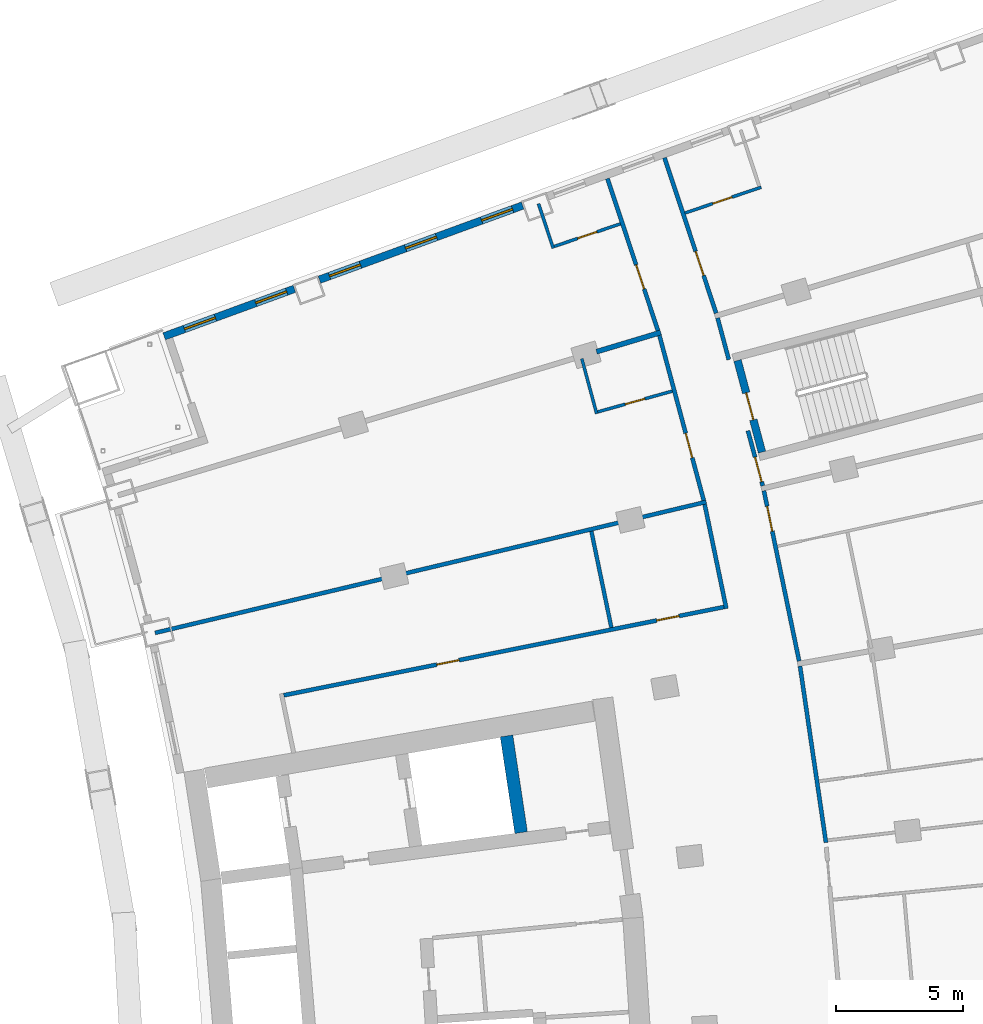
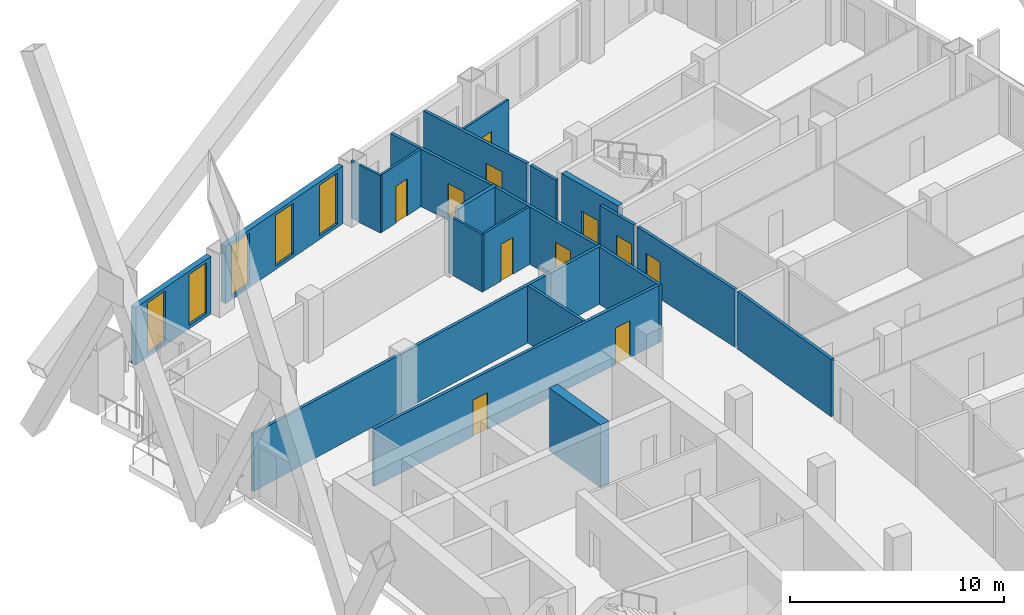
# One storey, part 20 of 26: 21 walls, 11 doors, 5 windows, 16 openings.
"""IFC4 building model written with IfcOpenShell, lengths in metres."""

from ifc_helpers import new_model, si_unit, direction, frame, frame_2d, origin, place, context, subcontext, project, spatial, rectangle, extrude, material, layer, layer_set, type_object, element, fill, save


model = new_model("IFC4")

# Units and contexts
model_context = context("Model", 3, precision=1e-05, world=origin(), true_north=direction((0.0, 1.0)))
body_context = subcontext(model_context, "Body", "Model", "MODEL_VIEW")
ifc_project = project(units=[si_unit("LENGTHUNIT", "METRE"), si_unit("AREAUNIT", "SQUARE_METRE"), si_unit("VOLUMEUNIT", "CUBIC_METRE"), si_unit("PLANEANGLEUNIT", "RADIAN"), si_unit("MASSUNIT", "GRAM", prefix="KILO")], contexts=[model_context])

# Site, building, storey
site_placement = place(None, origin())
site = spatial("IfcSite", under=ifc_project, at=site_placement, CompositionType="ELEMENT")
building_placement = place(site_placement, origin())
building = spatial("IfcBuilding", under=site, at=building_placement, Name="Alderwake Tower", CompositionType="ELEMENT")
storey_placement = place(building_placement, frame((0.0, 0.0, 82.39990234375)))
storey = spatial("IfcBuildingStorey", under=building, at=storey_placement, Name="L19", CompositionType="ELEMENT", Elevation=82.39990234375)

# Wall
ifc_material_1 = material(Name="Concrete C70/85", Category="concrete")
ifc_layer_1 = layer(ifc_material_1, 0.5)
ifc_layer_set_1 = layer_set([ifc_layer_1], Name="Core wall spine 500 C70-85")
wall_type_1 = type_object("IfcWallType", Name="Core wall spine 500 C70-85", PredefinedType="SHEAR", material=ifc_layer_set_1)
wall_1_placement = place(storey_placement, frame((28.34423828125, 75.4228515625, 0.0), z_axis=(0.0, 0.0, 1.0), x_axis=(-0.14943460482, 0.988771611082, 0.0)))
element("IfcWall", 1, at=wall_1_placement, inside=storey, type_object=wall_type_1, Name="Core wall CW.001", PredefinedType="SHEAR", context=body_context, shape_type="SweptSolid", body=[
    extrude(rectangle(XDim=3.8623046875, YDim=0.5, at=frame_2d((1.93115234375, 0.0))), origin(), (0.0, 0.0, 1.0), 3.60009765625),
])

# Wall, opening, door
ifc_material_2 = material(Name="Concrete C70/85", Category="concrete")
ifc_layer_2 = layer(ifc_material_2, 0.300048828125)
ifc_layer_set_2 = layer_set([ifc_layer_2], Name="Core wall stair enclosure 300 C70-85")
wall_type_2 = type_object("IfcWallType", Name="Core wall stair enclosure 300 C70-85", PredefinedType="SHEAR", material=ifc_layer_set_2)
wall_2_placement = place(storey_placement, frame((37.8603515625, 90.452392578125, 0.0), z_axis=(0.0, 0.0, 1.0), x_axis=(-0.257411420208, 0.966301899381, 0.0)))
wall_2 = element("IfcWall", 2, at=wall_2_placement, inside=storey, type_object=wall_type_2, Name="Core wall CW.083", PredefinedType="SHEAR", context=body_context, shape_type="SweptSolid", body=[
    extrude(rectangle(XDim=3.750244140625, YDim=0.300048828125, at=frame_2d((1.875, 0.0))), origin(), (0.0, 0.0, 1.0), 3.60009765625),
])
opening_1_placement = place(wall_2_placement, frame((1.324951171875, 0.0, 0.0)))
opening_1 = element("IfcOpeningElement", 3, at=opening_1_placement, cuts=wall_2, Name="Opening C062", PredefinedType="OPENING", context=body_context, shape_type="SweptSolid", body=[
    extrude(rectangle(XDim=1.10009765625, YDim=2.10009765625, at=frame_2d((0.550048828125, 1.050048828125))), frame((0.0, 0.159912109375, 0.0), z_axis=(0.0, -1.0, 0.0), x_axis=(1.0, 0.0, 0.0)), (0.0, 0.0, 1.0), 0.320068359375),
])
ifc_material_3 = material(Name="Steel-framed fire door leaf", Category="steel")
door_type_1 = type_object("IfcDoorType", Name="Core stair door 1100 fire-rated", OperationType="SINGLE_SWING_LEFT", PredefinedType="DOOR", material=ifc_material_3)
door_1_placement = place(opening_1_placement, origin())
door_1 = element("IfcDoor", 4, at=door_1_placement, inside=storey, type_object=door_type_1, Name="Stair door", OperationType="SINGLE_SWING_LEFT", OverallHeight=2.10009765625, OverallWidth=1.10009765625, PredefinedType="DOOR", context=body_context, shape_type="SweptSolid", body=[
    extrude(rectangle(XDim=1.10009765625, YDim=2.10009765625, at=frame_2d((0.550048828125, 1.050048828125))), frame((0.0, 0.02490234375, 0.0), z_axis=(0.0, -1.0, 0.0), x_axis=(1.0, 0.0, 0.0)), (0.0, 0.0, 1.0), 0.050048828125),
])
fill(opening_1, door_1)

# Wall
ifc_material_4 = material(Name="Gypsum board on metal studs, rated")
ifc_layer_3 = layer(ifc_material_4, 0.159912109375)
ifc_layer_set_3 = layer_set([ifc_layer_3], Name="Corridor wall 160")
wall_type_3 = type_object("IfcWallType", Name="Corridor wall 160", PredefinedType="PARTITIONING", material=ifc_layer_set_3)
wall_3_placement = place(storey_placement, frame((13.884033203125, 83.31298828125, 0.0), z_axis=(0.0, 0.0, 1.0), x_axis=(0.972893462073, 0.231253781493, 0.0)))
element("IfcWall", 5, at=wall_3_placement, inside=storey, type_object=wall_type_3, Name="WL/L19/W16", PredefinedType="PARTITIONING", context=body_context, shape_type="SweptSolid", body=[
    extrude(rectangle(XDim=22.38037109375, YDim=0.159912109375, at=frame_2d((11.190185546875, 0.0))), origin(), (0.0, 0.0, 1.0), 3.280029296875),
])

# Wall, opening, door
wall_4_placement = place(storey_placement, frame((33.75146484375, 95.2548828125, 0.0), z_axis=(0.0, 0.0, 1.0), x_axis=(-0.315406156735, 0.948956772616, 0.0)))
wall_4 = element("IfcWall", 6, at=wall_4_placement, inside=storey, type_object=wall_type_3, Name="WL/L19/W20", PredefinedType="PARTITIONING", context=body_context, shape_type="SweptSolid", body=[
    extrude(rectangle(XDim=6.330078125, YDim=0.159912109375, at=frame_2d((3.1650390625, 0.0))), origin(), (0.0, 0.0, 1.0), 3.280029296875),
])
opening_2_placement = place(wall_4_placement, frame((1.737060546875, 0.0, 0.0)))
opening_2 = element("IfcOpeningElement", 7, at=opening_2_placement, cuts=wall_4, Name="Opening R05-U12.1", PredefinedType="OPENING", context=body_context, shape_type="SweptSolid", body=[
    extrude(rectangle(XDim=1.0, YDim=2.10009765625, at=frame_2d((0.5, 1.050048828125))), frame((0.0, 0.08984375, 0.0), z_axis=(0.0, -1.0, 0.0), x_axis=(1.0, 0.0, 0.0)), (0.0, 0.0, 1.0), 0.179931640625),
])
ifc_material_5 = material(Name="Solid timber leaf in steel frame", Category="steel")
door_type_2 = type_object("IfcDoorType", Name="Flat entrance door 1000 fire-rated", OperationType="SINGLE_SWING_LEFT", PredefinedType="DOOR", material=ifc_material_5)
door_2_placement = place(opening_2_placement, origin())
door_2 = element("IfcDoor", 8, at=door_2_placement, inside=storey, type_object=door_type_2, Name="DR/L19/U12.1", OperationType="SINGLE_SWING_LEFT", OverallHeight=2.10009765625, OverallWidth=1.0, PredefinedType="DOOR", context=body_context, shape_type="SweptSolid", body=[
    extrude(rectangle(XDim=1.0, YDim=2.10009765625, at=frame_2d((0.5, 1.050048828125))), frame((0.0, 0.02490234375, 0.0), z_axis=(0.0, -1.0, 0.0), x_axis=(1.0, 0.0, 0.0)), (0.0, 0.0, 1.0), 0.050048828125),
])
fill(opening_2, door_2)

wall_5_placement = place(storey_placement, frame((35.55908203125, 88.54736328125, 0.0), z_axis=(0.0, 0.0, 1.0), x_axis=(-0.259373900693, 0.965776982351, 0.0)))
wall_5 = element("IfcWall", 9, at=wall_5_placement, inside=storey, type_object=wall_type_3, Name="WL/L19/W23", PredefinedType="PARTITIONING", context=body_context, shape_type="SweptSolid", body=[
    extrude(rectangle(XDim=6.7470703125, YDim=0.159912109375, at=frame_2d((3.37353515625, 0.0))), origin(), (0.0, 0.0, 1.0), 3.280029296875),
])
opening_3_placement = place(wall_5_placement, frame((1.74609375, 0.0, 0.0)))
opening_3 = element("IfcOpeningElement", 10, at=opening_3_placement, cuts=wall_5, Name="Opening R05-U11.1", PredefinedType="OPENING", context=body_context, shape_type="SweptSolid", body=[
    extrude(rectangle(XDim=1.0, YDim=2.10009765625, at=frame_2d((0.5, 1.050048828125))), frame((0.0, 0.08984375, 0.0), z_axis=(0.0, -1.0, 0.0), x_axis=(1.0, 0.0, 0.0)), (0.0, 0.0, 1.0), 0.179931640625),
])
door_3_placement = place(opening_3_placement, origin())
door_3 = element("IfcDoor", 11, at=door_3_placement, inside=storey, type_object=door_type_2, Name="DR/L19/U11.1", OperationType="SINGLE_SWING_LEFT", OverallHeight=2.10009765625, OverallWidth=1.0, PredefinedType="DOOR", context=body_context, shape_type="SweptSolid", body=[
    extrude(rectangle(XDim=1.0, YDim=2.10009765625, at=frame_2d((0.5, 1.050048828125))), frame((0.0, 0.02490234375, 0.0), z_axis=(0.0, -1.0, 0.0), x_axis=(1.0, 0.0, 0.0)), (0.0, 0.0, 1.0), 0.050048828125),
])
fill(opening_3, door_3)

# Wall
wall_6_placement = place(storey_placement, frame((35.59619140625, 88.3916015625, 0.0), z_axis=(0.0, 0.0, 1.0), x_axis=(0.20329833965, -0.979116839348, 0.0)))
element("IfcWall", 12, at=wall_6_placement, inside=storey, type_object=wall_type_3, Name="WL/L19/W25", PredefinedType="PARTITIONING", context=body_context, shape_type="SweptSolid", body=[
    extrude(rectangle(XDim=4.206787109375, YDim=0.159912109375, at=frame_2d((2.103515625, 0.0))), origin(), (0.0, 0.0, 1.0), 3.280029296875),
])

# Wall, opening, door
wall_7_placement = place(storey_placement, frame((34.010986328125, 102.083984375, 0.0), z_axis=(0.0, 0.0, 1.0), x_axis=(0.315140606423, -0.949044992708, 0.0)))
wall_7 = element("IfcWall", 13, at=wall_7_placement, inside=storey, type_object=wall_type_3, Name="WL/L19/W27", PredefinedType="PARTITIONING", context=body_context, shape_type="SweptSolid", body=[
    extrude(rectangle(XDim=6.46875, YDim=0.159912109375, at=frame_2d((3.234375, 0.0))), origin(), (0.0, 0.0, 1.0), 3.280029296875),
])
opening_4_placement = place(wall_7_placement, frame((3.897705078125, 0.0, 0.0)))
opening_4 = element("IfcOpeningElement", 14, at=opening_4_placement, cuts=wall_7, Name="Opening R05-U04.1", PredefinedType="OPENING", context=body_context, shape_type="SweptSolid", body=[
    extrude(rectangle(XDim=1.0, YDim=2.10009765625, at=frame_2d((0.5, 1.050048828125))), frame((0.0, 0.08984375, 0.0), z_axis=(0.0, -1.0, 0.0), x_axis=(1.0, 0.0, 0.0)), (0.0, 0.0, 1.0), 0.179931640625),
])
door_4_placement = place(opening_4_placement, origin())
door_4 = element("IfcDoor", 15, at=door_4_placement, inside=storey, type_object=door_type_2, Name="DR/L19/U04.1", OperationType="SINGLE_SWING_LEFT", OverallHeight=2.10009765625, OverallWidth=1.0, PredefinedType="DOOR", context=body_context, shape_type="SweptSolid", body=[
    extrude(rectangle(XDim=1.0, YDim=2.10009765625, at=frame_2d((0.5, 1.050048828125))), frame((0.0, 0.02490234375, 0.0), z_axis=(0.0, -1.0, 0.0), x_axis=(1.0, 0.0, 0.0)), (0.0, 0.0, 1.0), 0.050048828125),
])
fill(opening_4, door_4)

# Wall, openings, doors
wall_8_placement = place(storey_placement, frame((18.969482421875, 80.84765625, 0.0), z_axis=(0.0, 0.0, 1.0), x_axis=(0.980470914622, 0.196664144112, 0.0)))
wall_8 = element("IfcWall", 16, at=wall_8_placement, inside=storey, type_object=wall_type_3, Name="WL/L19/W29", PredefinedType="PARTITIONING", context=body_context, shape_type="SweptSolid", body=[
    extrude(rectangle(XDim=17.733642578125, YDim=0.159912109375, at=frame_2d((8.86669921875, 0.0))), origin(), (0.0, 0.0, 1.0), 3.280029296875),
])
opening_5_placement = place(wall_8_placement, frame((6.156982421875, 0.0, 0.0)))
opening_5 = element("IfcOpeningElement", 17, at=opening_5_placement, cuts=wall_8, Name="Opening R05-SBN1", PredefinedType="OPENING", context=body_context, shape_type="SweptSolid", body=[
    extrude(rectangle(XDim=0.89990234375, YDim=2.10009765625, at=frame_2d((0.449951171875, 1.050048828125))), frame((0.0, 0.08984375, 0.0), z_axis=(0.0, -1.0, 0.0), x_axis=(1.0, 0.0, 0.0)), (0.0, 0.0, 1.0), 0.179931640625),
])
opening_6_placement = place(wall_8_placement, frame((15.0234375, 0.0, 0.0)))
opening_6 = element("IfcOpeningElement", 18, at=opening_6_placement, cuts=wall_8, Name="Opening R05-SBN2", PredefinedType="OPENING", context=body_context, shape_type="SweptSolid", body=[
    extrude(rectangle(XDim=0.89990234375, YDim=2.10009765625, at=frame_2d((0.449951171875, 1.050048828125))), frame((0.0, 0.08984375, 0.0), z_axis=(0.0, -1.0, 0.0), x_axis=(1.0, 0.0, 0.0)), (0.0, 0.0, 1.0), 0.179931640625),
])
ifc_material_6 = material(Name="Painted timber leaf", Category="wood")
door_type_3 = type_object("IfcDoorType", Name="Room door 900", OperationType="SINGLE_SWING_LEFT", PredefinedType="DOOR", material=ifc_material_6)
door_5_placement = place(opening_5_placement, origin())
door_5 = element("IfcDoor", 19, at=door_5_placement, inside=storey, type_object=door_type_3, Name="DR/L19/SBN1", OperationType="SINGLE_SWING_LEFT", OverallHeight=2.10009765625, OverallWidth=0.89990234375, PredefinedType="DOOR", context=body_context, shape_type="SweptSolid", body=[
    extrude(rectangle(XDim=0.89990234375, YDim=2.10009765625, at=frame_2d((0.449951171875, 1.050048828125))), frame((0.0, 0.02490234375, 0.0), z_axis=(0.0, -1.0, 0.0), x_axis=(1.0, 0.0, 0.0)), (0.0, 0.0, 1.0), 0.050048828125),
])
fill(opening_5, door_5)
door_6_placement = place(opening_6_placement, origin())
door_6 = element("IfcDoor", 20, at=door_6_placement, inside=storey, type_object=door_type_3, Name="DR/L19/SBN2", OperationType="SINGLE_SWING_LEFT", OverallHeight=2.10009765625, OverallWidth=0.89990234375, PredefinedType="DOOR", context=body_context, shape_type="SweptSolid", body=[
    extrude(rectangle(XDim=0.89990234375, YDim=2.10009765625, at=frame_2d((0.449951171875, 1.050048828125))), frame((0.0, 0.02490234375, 0.0), z_axis=(0.0, -1.0, 0.0), x_axis=(1.0, 0.0, 0.0)), (0.0, 0.0, 1.0), 0.050048828125),
])
fill(opening_6, door_6)

# Wall
wall_9_placement = place(storey_placement, frame((36.549072265625, 94.110107421875, 0.0), z_axis=(0.0, 0.0, 1.0), x_axis=(-0.259813977097, 0.965658685719, 0.0)))
element("IfcWall", 21, at=wall_9_placement, inside=storey, type_object=wall_type_3, Name="WL/L19/W30", PredefinedType="PARTITIONING", context=body_context, shape_type="SweptSolid", body=[
    extrude(rectangle(XDim=1.70166015625, YDim=0.159912109375, at=frame_2d((0.850830078125, 0.0))), origin(), (0.0, 0.0, 1.0), 3.280029296875),
])

# Wall, opening, door
wall_10_placement = place(storey_placement, frame((37.304931640625, 91.299072265625, 0.0), z_axis=(0.0, 0.0, 1.0), x_axis=(0.259946294884, -0.965623075416, 0.0)))
wall_10 = element("IfcWall", 22, at=wall_10_placement, inside=storey, type_object=wall_type_3, Name="WL/L19/W33", PredefinedType="PARTITIONING", context=body_context, shape_type="SweptSolid", body=[
    extrude(rectangle(XDim=2.255126953125, YDim=0.159912109375, at=frame_2d((1.12744140625, 0.0))), origin(), (0.0, 0.0, 1.0), 3.280029296875),
])
opening_7_placement = place(wall_10_placement, frame((1.083984375, 0.0, 0.0)))
opening_7 = element("IfcOpeningElement", 23, at=opening_7_placement, cuts=wall_10, Name="Opening R05-U02.1", PredefinedType="OPENING", context=body_context, shape_type="SweptSolid", body=[
    extrude(rectangle(XDim=1.0, YDim=2.10009765625, at=frame_2d((0.5, 1.050048828125))), frame((0.0, 0.08984375, 0.0), z_axis=(0.0, -1.0, 0.0), x_axis=(1.0, 0.0, 0.0)), (0.0, 0.0, 1.0), 0.179931640625),
])
door_7_placement = place(opening_7_placement, origin())
door_7 = element("IfcDoor", 24, at=door_7_placement, inside=storey, type_object=door_type_2, Name="DR/L19/U02.1", OperationType="SINGLE_SWING_LEFT", OverallHeight=2.10009765625, OverallWidth=1.0, PredefinedType="DOOR", context=body_context, shape_type="SweptSolid", body=[
    extrude(rectangle(XDim=1.0, YDim=2.10009765625, at=frame_2d((0.5, 1.050048828125))), frame((0.0, 0.02490234375, 0.0), z_axis=(0.0, -1.0, 0.0), x_axis=(1.0, 0.0, 0.0)), (0.0, 0.0, 1.0), 0.050048828125),
])
fill(opening_7, door_7)

wall_11_placement = place(storey_placement, frame((37.937255859375, 88.927001953125, 0.0), z_axis=(0.0, 0.0, 1.0), x_axis=(0.20241288737, -0.979300272147, 0.0)))
wall_11 = element("IfcWall", 25, at=wall_11_placement, inside=storey, type_object=wall_type_3, Name="WL/L19/W35", PredefinedType="PARTITIONING", context=body_context, shape_type="SweptSolid", body=[
    extrude(rectangle(XDim=6.870361328125, YDim=0.159912109375, at=frame_2d((3.43505859375, 0.0))), origin(), (0.0, 0.0, 1.0), 3.280029296875),
])
opening_8_placement = place(wall_11_placement, frame((0.62841796875, 0.0, 0.0)))
opening_8 = element("IfcOpeningElement", 26, at=opening_8_placement, cuts=wall_11, Name="Opening R05-U08.2", PredefinedType="OPENING", context=body_context, shape_type="SweptSolid", body=[
    extrude(rectangle(XDim=1.0, YDim=2.10009765625, at=frame_2d((0.5, 1.050048828125))), frame((0.0, 0.08984375, 0.0), z_axis=(0.0, -1.0, 0.0), x_axis=(1.0, 0.0, 0.0)), (0.0, 0.0, 1.0), 0.179931640625),
])
door_8_placement = place(opening_8_placement, origin())
door_8 = element("IfcDoor", 27, at=door_8_placement, inside=storey, type_object=door_type_2, Name="DR/L19/U08.2", OperationType="SINGLE_SWING_LEFT", OverallHeight=2.10009765625, OverallWidth=1.0, PredefinedType="DOOR", context=body_context, shape_type="SweptSolid", body=[
    extrude(rectangle(XDim=1.0, YDim=2.10009765625, at=frame_2d((0.5, 1.050048828125))), frame((0.0, 0.02490234375, 0.0), z_axis=(0.0, -1.0, 0.0), x_axis=(1.0, 0.0, 0.0)), (0.0, 0.0, 1.0), 0.050048828125),
])
fill(opening_8, door_8)

# Wall
wall_12_placement = place(storey_placement, frame((40.388671875, 75.02880859375, 0.0), z_axis=(0.0, 0.0, 1.0), x_axis=(-0.145585733575, 0.98934563939, 0.0)))
element("IfcWall", 28, at=wall_12_placement, inside=storey, type_object=wall_type_3, Name="WL/L19/W37", PredefinedType="PARTITIONING", context=body_context, shape_type="SweptSolid", body=[
    extrude(rectangle(XDim=7.04833984375, YDim=0.159912109375, at=frame_2d((3.524169921875, 0.0))), origin(), (0.0, 0.0, 1.0), 3.280029296875),
])

# Wall, openings, windows
ifc_material_7 = material(Name="Bronze metal cladding on lightweight framing")
ifc_layer_4 = layer(ifc_material_7, 0.300048828125)
ifc_layer_set_4 = layer_set([ifc_layer_4], Name="External wall EW2 bronze metal cladding")
wall_type_4 = type_object("IfcWallType", Name="External wall EW2 bronze metal cladding", PredefinedType="SOLIDWALL", material=ifc_layer_set_4)
wall_13_placement = place(storey_placement, frame((28.402587890625, 100.197509765625, 0.0), z_axis=(0.0, 0.0, 1.0), x_axis=(-0.939364770023, -0.342919566137, 0.0)))
wall_13 = element("IfcWall", 29, at=wall_13_placement, inside=storey, type_object=wall_type_4, Name="External wall 28", PredefinedType="SOLIDWALL", context=body_context, shape_type="SweptSolid", body=[
    extrude(rectangle(XDim=8.54541015625, YDim=0.300048828125, at=frame_2d((4.272705078125, 0.0))), origin(), (0.0, 0.0, 1.0), 3.280029296875),
])
opening_9_placement = place(wall_13_placement, frame((0.4228515625, 0.0, 0.199951171875)))
opening_9 = element("IfcOpeningElement", 30, at=opening_9_placement, cuts=wall_13, Name="Opening W1", PredefinedType="OPENING", context=body_context, shape_type="SweptSolid", body=[
    extrude(rectangle(XDim=1.300048828125, YDim=2.89990234375, at=frame_2d((0.64990234375, 1.449951171875))), frame((0.0, 0.159912109375, 0.0), z_axis=(0.0, -1.0, 0.0), x_axis=(1.0, 0.0, 0.0)), (0.0, 0.0, 1.0), 0.320068359375),
])
opening_10_placement = place(wall_13_placement, frame((3.622802734375, 0.0, 0.199951171875)))
opening_10 = element("IfcOpeningElement", 31, at=opening_10_placement, cuts=wall_13, Name="Opening W1", PredefinedType="OPENING", context=body_context, shape_type="SweptSolid", body=[
    extrude(rectangle(XDim=1.300048828125, YDim=2.89990234375, at=frame_2d((0.64990234375, 1.449951171875))), frame((0.0, 0.159912109375, 0.0), z_axis=(0.0, -1.0, 0.0), x_axis=(1.0, 0.0, 0.0)), (0.0, 0.0, 1.0), 0.320068359375),
])
opening_11_placement = place(wall_13_placement, frame((6.822998046875, 0.0, 0.199951171875)))
opening_11 = element("IfcOpeningElement", 32, at=opening_11_placement, cuts=wall_13, Name="Opening W1", PredefinedType="OPENING", context=body_context, shape_type="SweptSolid", body=[
    extrude(rectangle(XDim=1.300048828125, YDim=2.89990234375, at=frame_2d((0.64990234375, 1.449951171875))), frame((0.0, 0.159912109375, 0.0), z_axis=(0.0, -1.0, 0.0), x_axis=(1.0, 0.0, 0.0)), (0.0, 0.0, 1.0), 0.320068359375),
])
ifc_material_8 = material(Name="Bronze tinted glass in aluminium frame", Category="aluminium")
window_type = type_object("IfcWindowType", Name="Window W1 tall fixed and vent", PartitioningType="DOUBLE_PANEL_VERTICAL", PredefinedType="WINDOW", material=ifc_material_8)
window_1_placement = place(opening_9_placement, origin())
window_1 = element("IfcWindow", 33, at=window_1_placement, inside=storey, type_object=window_type, Name="Window W1 tall fixed and vent", OverallHeight=2.89990234375, OverallWidth=1.300048828125, PartitioningType="DOUBLE_PANEL_VERTICAL", PredefinedType="WINDOW", context=body_context, shape_type="SweptSolid", body=[
    extrude(rectangle(XDim=1.300048828125, YDim=2.89990234375, at=frame_2d((0.64990234375, 1.449951171875))), frame((0.0, 0.030029296875, 0.0), z_axis=(0.0, -1.0, 0.0), x_axis=(1.0, 0.0, 0.0)), (0.0, 0.0, 1.0), 0.06005859375),
])
fill(opening_9, window_1)
window_2_placement = place(opening_10_placement, origin())
window_2 = element("IfcWindow", 34, at=window_2_placement, inside=storey, type_object=window_type, Name="Window W1 tall fixed and vent", OverallHeight=2.89990234375, OverallWidth=1.300048828125, PartitioningType="DOUBLE_PANEL_VERTICAL", PredefinedType="WINDOW", context=body_context, shape_type="SweptSolid", body=[
    extrude(rectangle(XDim=1.300048828125, YDim=2.89990234375, at=frame_2d((0.64990234375, 1.449951171875))), frame((0.0, 0.030029296875, 0.0), z_axis=(0.0, -1.0, 0.0), x_axis=(1.0, 0.0, 0.0)), (0.0, 0.0, 1.0), 0.06005859375),
])
fill(opening_10, window_2)
window_3_placement = place(opening_11_placement, origin())
window_3 = element("IfcWindow", 35, at=window_3_placement, inside=storey, type_object=window_type, Name="Window W1 tall fixed and vent", OverallHeight=2.89990234375, OverallWidth=1.300048828125, PartitioningType="DOUBLE_PANEL_VERTICAL", PredefinedType="WINDOW", context=body_context, shape_type="SweptSolid", body=[
    extrude(rectangle(XDim=1.300048828125, YDim=2.89990234375, at=frame_2d((0.64990234375, 1.449951171875))), frame((0.0, 0.030029296875, 0.0), z_axis=(0.0, -1.0, 0.0), x_axis=(1.0, 0.0, 0.0)), (0.0, 0.0, 1.0), 0.06005859375),
])
fill(opening_11, window_3)

wall_14_placement = place(storey_placement, frame((19.38427734375, 96.905517578125, 0.0), z_axis=(0.0, 0.0, 1.0), x_axis=(-0.939366897407, -0.342913738506, 0.0)))
wall_14 = element("IfcWall", 36, at=wall_14_placement, inside=storey, type_object=wall_type_4, Name="External wall 29", PredefinedType="SOLIDWALL", context=body_context, shape_type="SweptSolid", body=[
    extrude(rectangle(XDim=5.474365234375, YDim=0.300048828125, at=frame_2d((2.7373046875, 0.0))), origin(), (0.0, 0.0, 1.0), 3.280029296875),
])
opening_12_placement = place(wall_14_placement, frame((0.322998046875, 0.0, 0.199951171875)))
opening_12 = element("IfcOpeningElement", 37, at=opening_12_placement, cuts=wall_14, Name="Opening W1", PredefinedType="OPENING", context=body_context, shape_type="SweptSolid", body=[
    extrude(rectangle(XDim=1.300048828125, YDim=2.89990234375, at=frame_2d((0.64990234375, 1.449951171875))), frame((0.0, 0.159912109375, 0.0), z_axis=(0.0, -1.0, 0.0), x_axis=(1.0, 0.0, 0.0)), (0.0, 0.0, 1.0), 0.320068359375),
])
opening_13_placement = place(wall_14_placement, frame((3.32373046875, 0.0, 0.199951171875)))
opening_13 = element("IfcOpeningElement", 38, at=opening_13_placement, cuts=wall_14, Name="Opening W1", PredefinedType="OPENING", context=body_context, shape_type="SweptSolid", body=[
    extrude(rectangle(XDim=1.300048828125, YDim=2.89990234375, at=frame_2d((0.64990234375, 1.449951171875))), frame((0.0, 0.159912109375, 0.0), z_axis=(0.0, -1.0, 0.0), x_axis=(1.0, 0.0, 0.0)), (0.0, 0.0, 1.0), 0.320068359375),
])
window_4_placement = place(opening_12_placement, origin())
window_4 = element("IfcWindow", 39, at=window_4_placement, inside=storey, type_object=window_type, Name="Window W1 tall fixed and vent", OverallHeight=2.89990234375, OverallWidth=1.300048828125, PartitioningType="DOUBLE_PANEL_VERTICAL", PredefinedType="WINDOW", context=body_context, shape_type="SweptSolid", body=[
    extrude(rectangle(XDim=1.300048828125, YDim=2.89990234375, at=frame_2d((0.64990234375, 1.449951171875))), frame((0.0, 0.030029296875, 0.0), z_axis=(0.0, -1.0, 0.0), x_axis=(1.0, 0.0, 0.0)), (0.0, 0.0, 1.0), 0.06005859375),
])
fill(opening_12, window_4)
window_5_placement = place(opening_13_placement, origin())
window_5 = element("IfcWindow", 40, at=window_5_placement, inside=storey, type_object=window_type, Name="Window W1 tall fixed and vent", OverallHeight=2.89990234375, OverallWidth=1.300048828125, PartitioningType="DOUBLE_PANEL_VERTICAL", PredefinedType="WINDOW", context=body_context, shape_type="SweptSolid", body=[
    extrude(rectangle(XDim=1.300048828125, YDim=2.89990234375, at=frame_2d((0.64990234375, 1.449951171875))), frame((0.0, 0.030029296875, 0.0), z_axis=(0.0, -1.0, 0.0), x_axis=(1.0, 0.0, 0.0)), (0.0, 0.0, 1.0), 0.06005859375),
])
fill(opening_13, window_5)

# Walls
ifc_material_9 = material(Name="Dense block masonry wall", Category="masonry")
ifc_layer_5 = layer(ifc_material_9, 0.199951171875)
ifc_layer_set_5 = layer_set([ifc_layer_5], Name="Party wall 200")
wall_type_5 = type_object("IfcWallType", Name="Party wall 200", PredefinedType="SOLIDWALL", material=ifc_layer_set_5)
wall_15_placement = place(storey_placement, frame((33.859619140625, 95.18310546875, 0.0), z_axis=(0.0, 0.0, 1.0), x_axis=(-0.957762803886, -0.287559405153, 0.0)))
element("IfcWall", 41, at=wall_15_placement, inside=storey, type_object=wall_type_5, Name="WL/L19/W04", PredefinedType="SOLIDWALL", context=body_context, shape_type="SweptSolid", body=[
    extrude(rectangle(XDim=2.647216796875, YDim=0.199951171875, at=frame_2d((1.32373046875, 0.0))), origin(), (0.0, 0.0, 1.0), 3.280029296875),
])
ifc_material_10 = material(Name="Gypsum shaft wall system, rated")
ifc_layer_6 = layer(ifc_material_10, 0.14990234375)
ifc_layer_set_6 = layer_set([ifc_layer_6], Name="Riser and shaft wall 150")
wall_type_6 = type_object("IfcWallType", Name="Riser and shaft wall 150", PredefinedType="PARTITIONING", material=ifc_layer_set_6)
wall_16_placement = place(storey_placement, frame((31.90966796875, 83.523193359375, 0.0), z_axis=(0.0, 0.0, 1.0), x_axis=(-0.203193719272, 0.979138556308, 0.0)))
element("IfcWall", 42, at=wall_16_placement, inside=storey, type_object=wall_type_6, Name="WL/L19/W12", PredefinedType="PARTITIONING", context=body_context, shape_type="SweptSolid", body=[
    extrude(rectangle(XDim=3.884521484375, YDim=0.14990234375, at=frame_2d((1.9423828125, 0.0))), origin(), (0.0, 0.0, 1.0), 3.280029296875),
])
ifc_material_11 = material(Name="Moisture resistant gypsum board on metal studs")
ifc_layer_7 = layer(ifc_material_11, 0.1201171875)
ifc_layer_set_7 = layer_set([ifc_layer_7], Name="Wet room partition 120")
wall_type_7 = type_object("IfcWallType", Name="Wet room partition 120", PredefinedType="PARTITIONING", material=ifc_layer_set_7)
wall_17_placement = place(storey_placement, frame((29.031005859375, 100.26611328125, 0.0), z_axis=(0.0, 0.0, 1.0), x_axis=(0.315714683416, -0.948854171449, 0.0)))
element("IfcWall", 43, at=wall_17_placement, inside=storey, type_object=wall_type_7, Name="WL/L19/W43", PredefinedType="PARTITIONING", context=body_context, shape_type="SweptSolid", body=[
    extrude(rectangle(XDim=1.85595703125, YDim=0.1201171875, at=frame_2d((0.927978515625, 0.0))), origin(), (0.0, 0.0, 1.0), 3.280029296875),
])

# Wall, opening, door
wall_18_placement = place(storey_placement, frame((29.65478515625, 98.581298828125, 0.0), z_axis=(0.0, 0.0, 1.0), x_axis=(0.946049080569, 0.324023358964, 0.0)))
wall_18 = element("IfcWall", 44, at=wall_18_placement, inside=storey, type_object=wall_type_7, Name="WL/L19/W45", PredefinedType="PARTITIONING", context=body_context, shape_type="SweptSolid", body=[
    extrude(rectangle(XDim=2.758544921875, YDim=0.1201171875, at=frame_2d((1.37939453125, 0.0))), origin(), (0.0, 0.0, 1.0), 3.280029296875),
])
opening_14_placement = place(wall_18_placement, frame((0.979248046875, 0.0, 0.0)))
opening_14 = element("IfcOpeningElement", 45, at=opening_14_placement, cuts=wall_18, Name="Opening R05-U12.2", PredefinedType="OPENING", context=body_context, shape_type="SweptSolid", body=[
    extrude(rectangle(XDim=0.800048828125, YDim=2.10009765625, at=frame_2d((0.39990234375, 1.050048828125))), frame((0.0, 0.070068359375, 0.0), z_axis=(0.0, -1.0, 0.0), x_axis=(1.0, 0.0, 0.0)), (0.0, 0.0, 1.0), 0.14013671875),
])
ifc_material_12 = material(Name="Painted timber leaf", Category="wood")
door_type_4 = type_object("IfcDoorType", Name="Bathroom door 800", OperationType="SINGLE_SWING_LEFT", PredefinedType="DOOR", material=ifc_material_12)
door_9_placement = place(opening_14_placement, origin())
door_9 = element("IfcDoor", 46, at=door_9_placement, inside=storey, type_object=door_type_4, Name="DR/L19/U12.2", OperationType="SINGLE_SWING_LEFT", OverallHeight=2.10009765625, OverallWidth=0.800048828125, PredefinedType="DOOR", context=body_context, shape_type="SweptSolid", body=[
    extrude(rectangle(XDim=0.800048828125, YDim=2.10009765625, at=frame_2d((0.39990234375, 1.050048828125))), frame((0.0, 0.02490234375, 0.0), z_axis=(0.0, -1.0, 0.0), x_axis=(1.0, 0.0, 0.0)), (0.0, 0.0, 1.0), 0.050048828125),
])
fill(opening_14, door_9)

# Wall
wall_19_placement = place(storey_placement, frame((30.742919921875, 94.1455078125, 0.0), z_axis=(0.0, 0.0, 1.0), x_axis=(0.260393144933, -0.965502672224, 0.0)))
element("IfcWall", 47, at=wall_19_placement, inside=storey, type_object=wall_type_7, Name="WL/L19/W46", PredefinedType="PARTITIONING", context=body_context, shape_type="SweptSolid", body=[
    extrude(rectangle(XDim=2.2529296875, YDim=0.1201171875, at=frame_2d((1.12646484375, 0.0))), origin(), (0.0, 0.0, 1.0), 3.280029296875),
])

# Wall, opening, door
wall_20_placement = place(storey_placement, frame((31.371826171875, 92.044189453125, 0.0), z_axis=(0.0, 0.0, 1.0), x_axis=(0.963351881246, 0.268240848677, 0.0)))
wall_20 = element("IfcWall", 48, at=wall_20_placement, inside=storey, type_object=wall_type_7, Name="WL/L19/W47", PredefinedType="PARTITIONING", context=body_context, shape_type="SweptSolid", body=[
    extrude(rectangle(XDim=3.05810546875, YDim=0.1201171875, at=frame_2d((1.529052734375, 0.0))), origin(), (0.0, 0.0, 1.0), 3.280029296875),
])
opening_15_placement = place(wall_20_placement, frame((1.129150390625, 0.0, 0.0)))
opening_15 = element("IfcOpeningElement", 49, at=opening_15_placement, cuts=wall_20, Name="Opening R05-U11.2", PredefinedType="OPENING", context=body_context, shape_type="SweptSolid", body=[
    extrude(rectangle(XDim=0.800048828125, YDim=2.10009765625, at=frame_2d((0.39990234375, 1.050048828125))), frame((0.0, 0.070068359375, 0.0), z_axis=(0.0, -1.0, 0.0), x_axis=(1.0, 0.0, 0.0)), (0.0, 0.0, 1.0), 0.14013671875),
])
door_10_placement = place(opening_15_placement, origin())
door_10 = element("IfcDoor", 50, at=door_10_placement, inside=storey, type_object=door_type_4, Name="DR/L19/U11.2", OperationType="SINGLE_SWING_LEFT", OverallHeight=2.10009765625, OverallWidth=0.800048828125, PredefinedType="DOOR", context=body_context, shape_type="SweptSolid", body=[
    extrude(rectangle(XDim=0.800048828125, YDim=2.10009765625, at=frame_2d((0.39990234375, 1.050048828125))), frame((0.0, 0.02490234375, 0.0), z_axis=(0.0, -1.0, 0.0), x_axis=(1.0, 0.0, 0.0)), (0.0, 0.0, 1.0), 0.050048828125),
])
fill(opening_15, door_10)

wall_21_placement = place(storey_placement, frame((34.81884765625, 99.901611328125, 0.0), z_axis=(0.0, 0.0, 1.0), x_axis=(0.947175058373, 0.320717022928, 0.0)))
wall_21 = element("IfcWall", 51, at=wall_21_placement, inside=storey, type_object=wall_type_7, Name="WL/L19/W50", PredefinedType="PARTITIONING", context=body_context, shape_type="SweptSolid", body=[
    extrude(rectangle(XDim=3.178955078125, YDim=0.1201171875, at=frame_2d((1.58935546875, 0.0))), origin(), (0.0, 0.0, 1.0), 3.280029296875),
])
opening_16_placement = place(wall_21_placement, frame((1.15966796875, 0.0, 0.0)))
opening_16 = element("IfcOpeningElement", 52, at=opening_16_placement, cuts=wall_21, Name="Opening R05-U04.2", PredefinedType="OPENING", context=body_context, shape_type="SweptSolid", body=[
    extrude(rectangle(XDim=0.800048828125, YDim=2.10009765625, at=frame_2d((0.39990234375, 1.050048828125))), frame((0.0, 0.070068359375, 0.0), z_axis=(0.0, -1.0, 0.0), x_axis=(1.0, 0.0, 0.0)), (0.0, 0.0, 1.0), 0.14013671875),
])
door_11_placement = place(opening_16_placement, origin())
door_11 = element("IfcDoor", 53, at=door_11_placement, inside=storey, type_object=door_type_4, Name="DR/L19/U04.2", OperationType="SINGLE_SWING_LEFT", OverallHeight=2.10009765625, OverallWidth=0.800048828125, PredefinedType="DOOR", context=body_context, shape_type="SweptSolid", body=[
    extrude(rectangle(XDim=0.800048828125, YDim=2.10009765625, at=frame_2d((0.39990234375, 1.050048828125))), frame((0.0, 0.02490234375, 0.0), z_axis=(0.0, -1.0, 0.0), x_axis=(1.0, 0.0, 0.0)), (0.0, 0.0, 1.0), 0.050048828125),
])
fill(opening_16, door_11)

save(model, "model.ifc")
